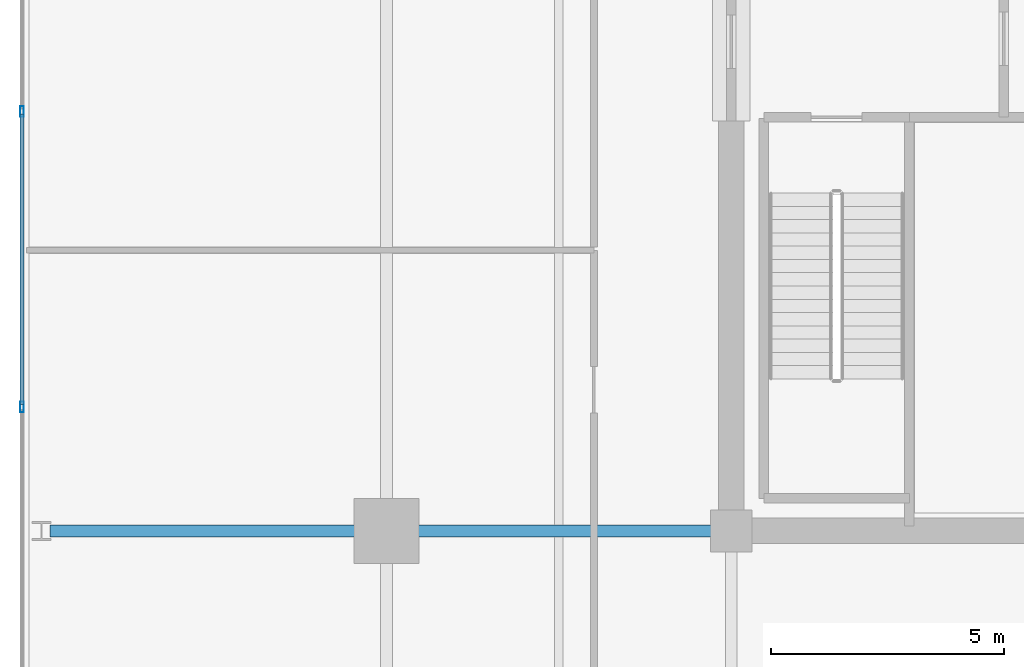
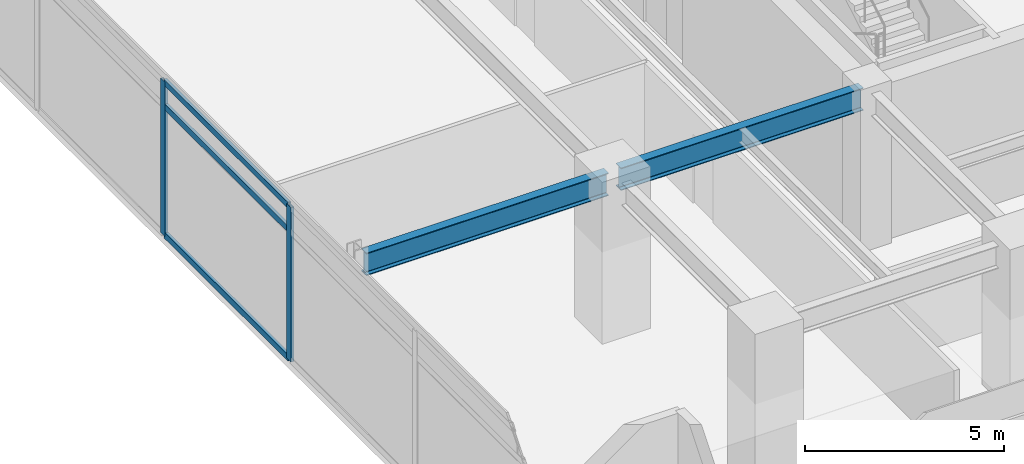
# One storey, part 4 of 21: 5 members, 2 beams, 1 element without a shape of its own.
"""IFC4 building model written with IfcOpenShell, lengths in metres."""

from ifc_helpers import new_model, si_unit, direction, frame, origin, origin_2d, place, context, subcontext, project, spatial, hollow_rectangle, i_section, extrude, material, material_profile, profile_set, type_object, element, aggregate, save


model = new_model("IFC4")

# Units and contexts
model_context = context("Model", 3, precision=1e-05, world=origin(), true_north=direction((0.0, 1.0)))
body_context = subcontext(model_context, "Body", "Model", "MODEL_VIEW")
ifc_project = project(units=[si_unit("LENGTHUNIT", "METRE"), si_unit("AREAUNIT", "SQUARE_METRE"), si_unit("VOLUMEUNIT", "CUBIC_METRE"), si_unit("PLANEANGLEUNIT", "RADIAN"), si_unit("MASSUNIT", "GRAM", prefix="KILO")], contexts=[model_context])

# Site, building, storey
site_placement = place(None, origin())
site = spatial("IfcSite", under=ifc_project, at=site_placement, CompositionType="ELEMENT")
building_placement = place(site_placement, origin())
building = spatial("IfcBuilding", under=site, at=building_placement, Name="Kovane Verandah Tower", CompositionType="ELEMENT")
storey_placement = place(building_placement, frame((0.0, 0.0, 238.199951171875)))
storey = spatial("IfcBuildingStorey", under=building, at=storey_placement, Name="L55", CompositionType="ELEMENT", Elevation=238.199951171875)

# Beams
ifc_material_1 = material(Name="Steel S355", Category="steel")
ifc_material_profile_1 = material_profile(ifc_material_1, i_section(OverallWidth=0.255859375, OverallDepth=0.69287109375, WebThickness=0.014404296875, FlangeThickness=0.023681640625, FilletRadius=0.01513671875, at=origin_2d()), Name="UB686x254x170")
ifc_profile_set_1 = profile_set([ifc_material_profile_1], Name="Steel S355")
beam_type = type_object("IfcBeamType", Name="BM-UB686x170", PredefinedType="BEAM", material=ifc_profile_set_1)
for number, where, z_axis, x_axis, name in (
    (1, (28.820068359375, 18.5, 4.438720703125), (-1.0, 0.0, 0.0), (0.0, -1.0, 0.0), "L55 Primary Tower Girder G-W1"),
    (2, (21.419921875, 18.5, 4.41357421875), (-1.0, 0.0, 0.0), (0.0, -1.0, 0.0), "L55 Primary Tower Girder G-VW1"),
):
    element("IfcBeam", number, at=place(storey_placement, frame(where, z_axis=z_axis, x_axis=x_axis)), inside=storey, type_object=beam_type, Name=name, PredefinedType="BEAM", context=body_context, shape_type="SweptSolid", body=[
        extrude(i_section(OverallWidth=0.255859375, OverallDepth=0.69287109375, WebThickness=0.014404296875, FlangeThickness=0.023681640625, FilletRadius=0.01513671875, at=origin_2d()), origin(), (0.0, 0.0, 1.0), 7.0400390625),
    ])

# Curtain wall, members
ifc_material_2 = material(Name="Champagne Anodised Aluminium Frame with Low-E Clear Laminated Glass", Category="aluminium")
curtain_wall_type = type_object("IfcCurtainWallType", Name="CW-SYS-03-MID", PredefinedType="NOTDEFINED", material=ifc_material_2)
curtain_wall_placement = place(storey_placement, origin())
curtain_wall = element("IfcCurtainWall", 3, at=curtain_wall_placement, inside=storey, type_object=curtain_wall_type, Name="L55 W Unitised Curtain Wall", PredefinedType="NOTDEFINED")
ifc_material_3 = material(Name="Champagne Anodised Aluminium 6063-T6", Category="aluminium")
ifc_material_profile_2 = material_profile(ifc_material_3, hollow_rectangle(XDim=0.0849609375, YDim=0.22998046875, WallThickness=0.00390625, at=origin_2d()), Name="AL85x230x4")
ifc_profile_set_2 = profile_set([ifc_material_profile_2], Name="Champagne Anodised Aluminium 6063-T6")
member_type_1 = type_object("IfcMemberType", Name="CW-MUL-85x230", PredefinedType="MULLION", material=ifc_profile_set_2)
member_1_placement = place(storey_placement, frame((13.779296875, 27.5, 0.02001953125), z_axis=(0.0, 0.0, 1.0), x_axis=(-1.0, 0.0, 0.0)))
member_1 = element("IfcMember", 4, at=member_1_placement, type_object=member_type_1, Name="L55 W Unitised Curtain Wall Mullion 4", PredefinedType="MULLION", context=body_context, shape_type="SweptSolid", body=[
    extrude(hollow_rectangle(XDim=0.0849609375, YDim=0.22998046875, WallThickness=0.00390625, at=origin_2d()), origin(), (0.0, 0.0, 1.0), 4.7451171875),
])
member_2_placement = place(storey_placement, frame((13.779296875, 21.158935546875, 0.02001953125), z_axis=(0.0, 0.0, 1.0), x_axis=(-1.0, 0.0, 0.0)))
member_2 = element("IfcMember", 5, at=member_2_placement, type_object=member_type_1, Name="L55 W Unitised Curtain Wall Mullion 5", PredefinedType="MULLION", context=body_context, shape_type="SweptSolid", body=[
    extrude(hollow_rectangle(XDim=0.0849609375, YDim=0.22998046875, WallThickness=0.00390625, at=origin_2d()), origin(), (0.0, 0.0, 1.0), 4.7451171875),
])
ifc_material_profile_3 = material_profile(ifc_material_3, hollow_rectangle(XDim=0.0849609375, YDim=0.18994140625, WallThickness=0.00390625, at=origin_2d()), Name="AL85x190x4")
ifc_profile_set_3 = profile_set([ifc_material_profile_3], Name="Champagne Anodised Aluminium 6063-T6")
member_type_2 = type_object("IfcMemberType", Name="CW-TRN-85x190", PredefinedType="USERDEFINED", material=ifc_profile_set_3)
member_3_placement = place(storey_placement, frame((13.779296875, 27.449951171875, 0.050048828125), z_axis=(0.0, -1.0, 0.0), x_axis=(1.0, 0.0, 0.0)))
member_3 = element("IfcMember", 6, at=member_3_placement, type_object=member_type_2, Name="L55 W Unitised Curtain Wall Transom TB Bay 4", ObjectType="TRANSOM", PredefinedType="USERDEFINED", context=body_context, shape_type="SweptSolid", body=[
    extrude(hollow_rectangle(XDim=0.0849609375, YDim=0.18994140625, WallThickness=0.00390625, at=origin_2d()), origin(), (0.0, 0.0, 1.0), 6.240966796875),
])
member_4_placement = place(storey_placement, frame((13.779296875, 27.449951171875, 4.005126953125), z_axis=(0.0, -1.0, 0.0), x_axis=(1.0, 0.0, 0.0)))
member_4 = element("IfcMember", 7, at=member_4_placement, type_object=member_type_2, Name="L55 W Unitised Curtain Wall Transom TM Bay 4", ObjectType="TRANSOM", PredefinedType="USERDEFINED", context=body_context, shape_type="SweptSolid", body=[
    extrude(hollow_rectangle(XDim=0.0849609375, YDim=0.18994140625, WallThickness=0.00390625, at=origin_2d()), origin(), (0.0, 0.0, 1.0), 6.240966796875),
])
member_5_placement = place(storey_placement, frame((13.779296875, 27.449951171875, 4.735107421875), z_axis=(0.0, -1.0, 0.0), x_axis=(1.0, 0.0, 0.0)))
member_5 = element("IfcMember", 8, at=member_5_placement, type_object=member_type_2, Name="L55 W Unitised Curtain Wall Transom TT Bay 4", ObjectType="TRANSOM", PredefinedType="USERDEFINED", context=body_context, shape_type="SweptSolid", body=[
    extrude(hollow_rectangle(XDim=0.0849609375, YDim=0.18994140625, WallThickness=0.00390625, at=origin_2d()), origin(), (0.0, 0.0, 1.0), 6.240966796875),
])
aggregate(curtain_wall, [member_1, member_2, member_3, member_4, member_5])

save(model, "model.ifc")
